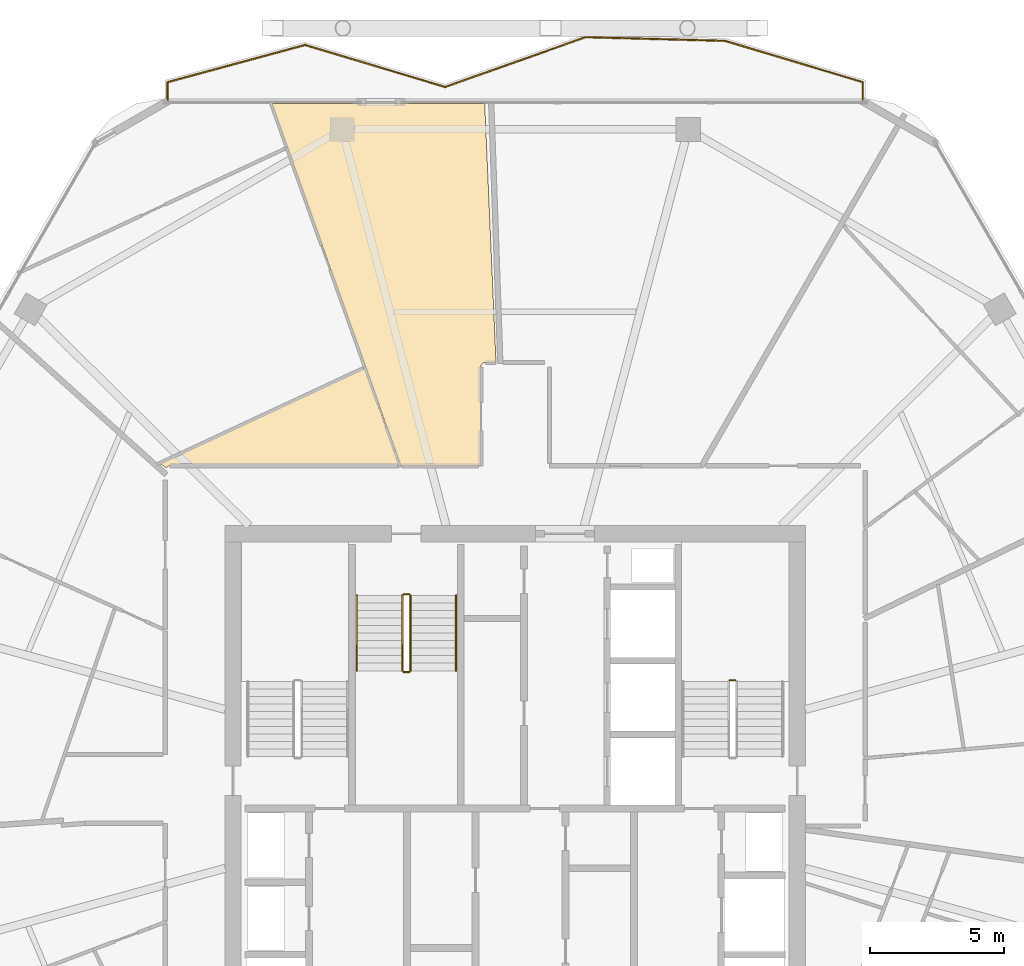
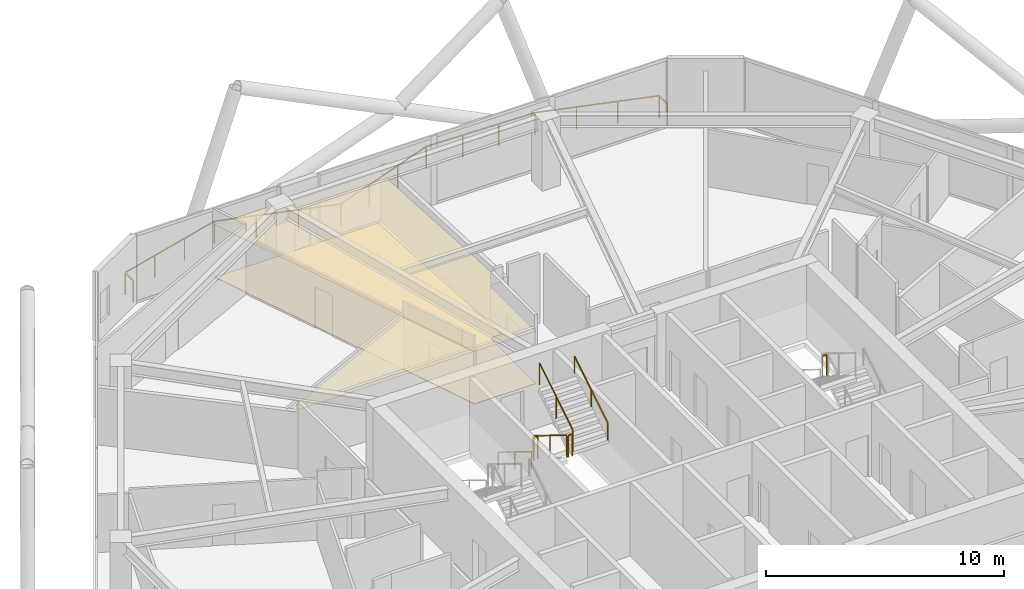
# One storey, part 26 of 26: 8 railings, 3 coverings.
"""IFC4 building model written with IfcOpenShell, lengths in metres."""

from ifc_helpers import new_model, si_unit, direction, frame, origin, origin_2d, place, context, subcontext, project, spatial, polyline, rectangle, outline, extrude, material, layer, layer_set, type_object, element, save


model = new_model("IFC4")

# Units and contexts
model_context = context("Model", 3, precision=1e-05, world=origin(), true_north=direction((0.0, 1.0)))
body_context = subcontext(model_context, "Body", "Model", "MODEL_VIEW")
ifc_project = project(units=[si_unit("LENGTHUNIT", "METRE"), si_unit("AREAUNIT", "SQUARE_METRE"), si_unit("VOLUMEUNIT", "CUBIC_METRE"), si_unit("PLANEANGLEUNIT", "RADIAN"), si_unit("MASSUNIT", "GRAM", prefix="KILO")], contexts=[model_context])

# Site, building, storey
site_placement = place(None, origin())
site = spatial("IfcSite", under=ifc_project, at=site_placement, CompositionType="ELEMENT")
building_placement = place(site_placement, origin())
building = spatial("IfcBuilding", under=site, at=building_placement, Name="Zuhravey Tower", CompositionType="ELEMENT")
storey_placement = place(building_placement, frame((0.0, 0.0, 231.199951171875)))
storey = spatial("IfcBuildingStorey", under=building, at=storey_placement, Name="L58", CompositionType="ELEMENT", Elevation=231.199951171875)

# Coverings
ifc_material_1 = material(Name="Mineral-fibre acoustic ceiling tile")
ifc_layer_1 = layer(ifc_material_1, 0.02490234375)
ifc_layer_set_1 = layer_set([ifc_layer_1], Name="Mineral-fibre acoustic ceiling tile")
covering_type_1 = type_object("IfcCoveringType", Name="Acoustic Suspended Ceiling", PredefinedType="CEILING", material=ifc_layer_set_1)
covering_1_placement = place(storey_placement, frame((0.0, 0.0, 2.68994140625)))
element("IfcCovering", 1, at=covering_1_placement, inside=storey, type_object=covering_type_1, Name="L58 Acoustic Suspended Ceiling CLG1", PredefinedType="CEILING", context=body_context, shape_type="SweptSolid", body=[
    extrude(outline(polyline([(35.28662109375, 47.8798828125), (34.89990234375, 47.8798828125), (34.8486328125, 47.87255859375), (34.80078125, 47.85009765625), (34.761474609375, 47.81494140625), (34.734130859375, 47.769775390625), (34.720947265625, 47.718505859375), (34.719970703125, 44.030029296875), (31.737548828125, 44.030029296875), (26.9326171875, 57.523681640625), (34.865478515625, 57.523681640625), (35.28662109375, 47.8798828125)])), origin(), (0.0, 0.0, 1.0), 0.025146484375),
])
ifc_material_2 = material(Name="Porcelain tile finish")
ifc_layer_2 = layer(ifc_material_2, 0.02001953125)
ifc_layer_set_2 = layer_set([ifc_layer_2], Name="Porcelain tile finish")
covering_type_2 = type_object("IfcCoveringType", Name="Apartment Ondol Porcelain Flooring", PredefinedType="FLOORING", material=ifc_layer_set_2)
covering_2_placement = place(storey_placement, origin())
element("IfcCovering", 2, at=covering_2_placement, inside=storey, type_object=covering_type_2, Name="L58 Principal Room Acoustic Flooring", PredefinedType="FLOORING", context=body_context, shape_type="SweptSolid", body=[
    extrude(outline(polyline([(35.28662109375, 47.8798828125), (34.89990234375, 47.8798828125), (34.8486328125, 47.87255859375), (34.80078125, 47.85009765625), (34.761474609375, 47.81494140625), (34.734130859375, 47.769775390625), (34.720947265625, 47.718505859375), (34.719970703125, 44.030029296875), (31.737548828125, 44.030029296875), (26.9326171875, 57.523681640625), (34.865478515625, 57.523681640625), (35.28662109375, 47.8798828125)])), origin(), (0.0, 0.0, 1.0), 0.02001953125),
])

# Railing
ifc_material_3 = material(Name="Stainless steel 316 and laminated glass", Category="steel")
railing_type_1 = type_object("IfcRailingType", Name="Balcony & Terrace Guardrail 1150", PredefinedType="BALUSTRADE", material=ifc_material_3)
railing_1_placement = place(storey_placement, frame((23.058349609375, 57.648681640625, 0.0)))
element("IfcRailing", 3, at=railing_1_placement, inside=storey, type_object=railing_type_1, Name="L58 Face 2 Wave Balcony Guardrail GR1", PredefinedType="BALUSTRADE", context=body_context, shape_type="SweptSolid", body=[
    extrude(rectangle(XDim=0.048095703125, YDim=0.048095703125, at=origin_2d()), frame((0.0, 0.001953125, 1.1259765625), z_axis=(0.0, 1.0, 0.0), x_axis=(-1.0, 0.0, 0.0)), (0.0, 0.0, 1.0), 0.659423828125),
    extrude(rectangle(XDim=0.048095703125, YDim=0.048095703125, at=origin_2d()), frame((0.001953125, 0.663818359375, 1.1259765625), z_axis=(0.965174046402, 0.261608601065, 0.0), x_axis=(-0.261608601065, 0.965174046402, 0.0)), (0.0, 0.0, 1.0), 5.2958984375),
    extrude(rectangle(XDim=0.048095703125, YDim=0.048095703125, at=origin_2d()), frame((5.1171875, 2.04931640625, 1.1259765625), z_axis=(0.957939641599, -0.286969759824, 0.0), x_axis=(0.286969759824, 0.957939641599, 0.0)), (0.0, 0.0, 1.0), 5.446044921875),
    extrude(rectangle(XDim=0.048095703125, YDim=0.048095703125, at=origin_2d()), frame((10.337890625, 0.486572265625, 1.1259765625), z_axis=(0.94248811317, 0.3342396693, 0.0), x_axis=(-0.3342396693, 0.94248811317, 0.0)), (0.0, 0.0, 1.0), 5.545166015625),
    extrude(rectangle(XDim=0.048095703125, YDim=0.048095703125, at=origin_2d()), frame((15.56787109375, 2.340576171875, 1.1259765625), z_axis=(0.999647538064, -0.026548062884, 0.0), x_axis=(0.026548062884, 0.999647538064, 0.0)), (0.0, 0.0, 1.0), 5.1826171875),
    extrude(rectangle(XDim=0.048095703125, YDim=0.048095703125, at=origin_2d()), frame((20.752685546875, 2.202392578125, 1.1259765625), z_axis=(0.957950354825, -0.286933995354, 0.0), x_axis=(0.286933995354, 0.957950354825, 0.0)), (0.0, 0.0, 1.0), 5.353759765625),
    extrude(rectangle(XDim=0.048095703125, YDim=0.048095703125, at=origin_2d()), frame((25.88330078125, 0.66357421875, 1.1259765625), z_axis=(0.0, -1.0, 0.0), x_axis=(1.0, 0.0, 0.0)), (0.0, 0.0, 1.0), 0.66162109375),
    extrude(rectangle(XDim=0.0419921875, YDim=0.0419921875, at=origin_2d()), origin(), (0.0, 0.0, 1.0), 1.099853515625),
    extrude(rectangle(XDim=0.0419921875, YDim=0.0419921875, at=origin_2d()), frame((0.0, 0.663330078125, 0.0)), (0.0, 0.0, 1.0), 1.099853515625),
    extrude(rectangle(XDim=0.0419921875, YDim=0.0419921875, at=origin_2d()), frame((1.705078125, 1.12548828125, 0.0)), (0.0, 0.0, 1.0), 1.099853515625),
    extrude(rectangle(XDim=0.0419921875, YDim=0.0419921875, at=origin_2d()), frame((3.41015625, 1.587646484375, 0.0)), (0.0, 0.0, 1.0), 1.099853515625),
    extrude(rectangle(XDim=0.0419921875, YDim=0.0419921875, at=origin_2d()), frame((5.115234375, 2.0498046875, 0.0)), (0.0, 0.0, 1.0), 1.099853515625),
    extrude(rectangle(XDim=0.0419921875, YDim=0.0419921875, at=origin_2d()), frame((6.85546875, 1.528564453125, 0.0)), (0.0, 0.0, 1.0), 1.099853515625),
    extrude(rectangle(XDim=0.0419921875, YDim=0.0419921875, at=origin_2d()), frame((8.595703125, 1.007080078125, 0.0)), (0.0, 0.0, 1.0), 1.099853515625),
    extrude(rectangle(XDim=0.0419921875, YDim=0.0419921875, at=origin_2d()), frame((10.3359375, 0.48583984375, 0.0)), (0.0, 0.0, 1.0), 1.099853515625),
    extrude(rectangle(XDim=0.0419921875, YDim=0.0419921875, at=origin_2d()), frame((12.079345703125, 1.10400390625, 0.0)), (0.0, 0.0, 1.0), 1.099853515625),
    extrude(rectangle(XDim=0.0419921875, YDim=0.0419921875, at=origin_2d()), frame((13.822509765625, 1.722412109375, 0.0)), (0.0, 0.0, 1.0), 1.099853515625),
    extrude(rectangle(XDim=0.0419921875, YDim=0.0419921875, at=origin_2d()), frame((15.56591796875, 2.340576171875, 0.0)), (0.0, 0.0, 1.0), 1.099853515625),
    extrude(rectangle(XDim=0.0419921875, YDim=0.0419921875, at=origin_2d()), frame((17.294189453125, 2.294677734375, 0.0)), (0.0, 0.0, 1.0), 1.099853515625),
    extrude(rectangle(XDim=0.0419921875, YDim=0.0419921875, at=origin_2d()), frame((19.0224609375, 2.248779296875, 0.0)), (0.0, 0.0, 1.0), 1.099853515625),
    extrude(rectangle(XDim=0.0419921875, YDim=0.0419921875, at=origin_2d()), frame((20.750732421875, 2.202880859375, 0.0)), (0.0, 0.0, 1.0), 1.099853515625),
    extrude(rectangle(XDim=0.0419921875, YDim=0.0419921875, at=origin_2d()), frame((22.461669921875, 1.6904296875, 0.0)), (0.0, 0.0, 1.0), 1.099853515625),
    extrude(rectangle(XDim=0.0419921875, YDim=0.0419921875, at=origin_2d()), frame((24.17236328125, 1.177978515625, 0.0)), (0.0, 0.0, 1.0), 1.099853515625),
    extrude(rectangle(XDim=0.0419921875, YDim=0.0419921875, at=origin_2d()), frame((25.88330078125, 0.66552734375, 0.0)), (0.0, 0.0, 1.0), 1.099853515625),
    extrude(rectangle(XDim=0.0419921875, YDim=0.0419921875, at=origin_2d()), frame((25.88330078125, 0.0, 0.0)), (0.0, 0.0, 1.0), 1.099853515625),
])

# Covering
ifc_material_4 = material(Name="Moisture-resistant gypsum ceiling board")
ifc_layer_3 = layer(ifc_material_4, 0.02001953125)
ifc_layer_set_3 = layer_set([ifc_layer_3], Name="Moisture-resistant gypsum ceiling board")
covering_type_3 = type_object("IfcCoveringType", Name="Moisture-Resistant Ceiling", PredefinedType="CEILING", material=ifc_layer_set_3)
covering_3_placement = place(storey_placement, frame((0.0, 0.0, 2.68994140625)))
element("IfcCovering", 4, at=covering_3_placement, inside=storey, type_object=covering_type_3, Name="L58 Wet-Room Ceiling CLG2", PredefinedType="CEILING", context=body_context, shape_type="SweptSolid", body=[
    extrude(outline(polyline([(22.99609375, 43.943115234375), (22.797607421875, 44.125), (30.399169921875, 47.669677734375), (31.695068359375, 44.030029296875), (23.14990234375, 44.030029296875), (23.0986328125, 44.0224609375), (23.064208984375, 44.00830078125), (23.0234375, 43.97802734375), (22.99609375, 43.943115234375)])), origin(), (0.0, 0.0, 1.0), 0.02001953125),
])

# Railings
ifc_material_5 = material(Name="Brushed stainless steel", Category="steel")
railing_type_2 = type_object("IfcRailingType", Name="Stair Wall Handrail 900", PredefinedType="HANDRAIL", material=ifc_material_5)
railing_2_placement = place(storey_placement, frame((30.10009765625, 39.199951171875, 0.1728515625)))
element("IfcRailing", 5, at=railing_2_placement, inside=storey, type_object=railing_type_2, Name="L58 ST3 stair handrail 1", PredefinedType="HANDRAIL", context=body_context, shape_type="SweptSolid", body=[
    extrude(rectangle(XDim=0.048095703125, YDim=0.048095703125, at=origin_2d()), frame((0.0, -0.001708984375, 0.876953125), z_axis=(0.0, -0.851089632645, 0.525020415988), x_axis=(1.0, 0.0, 0.0)), (0.0, 0.0, 1.0), 3.285888671875),
    extrude(rectangle(XDim=0.0419921875, YDim=0.0419921875, at=origin_2d()), origin(), (0.0, 0.0, 1.0), 0.849853515625),
    extrude(rectangle(XDim=0.0419921875, YDim=0.0419921875, at=origin_2d()), frame((0.0, -1.39990234375, 0.86376953125)), (0.0, 0.0, 1.0), 0.849853515625),
    extrude(rectangle(XDim=0.0419921875, YDim=0.0419921875, at=origin_2d()), frame((0.0, -2.800048828125, 1.727294921875)), (0.0, 0.0, 1.0), 0.849853515625),
])
railing_3_placement = place(storey_placement, frame((33.800048828125, 36.39990234375, 2.07275390625)))
element("IfcRailing", 6, at=railing_3_placement, inside=storey, type_object=railing_type_2, Name="L58 ST3 stair handrail 2", PredefinedType="HANDRAIL", context=body_context, shape_type="SweptSolid", body=[
    extrude(rectangle(XDim=0.048095703125, YDim=0.048095703125, at=origin_2d()), frame((0.0, 0.001708984375, 0.876953125), z_axis=(0.0, 0.851089632645, 0.525020415988), x_axis=(-1.0, 0.0, 0.0)), (0.0, 0.0, 1.0), 3.285888671875),
    extrude(rectangle(XDim=0.0419921875, YDim=0.0419921875, at=origin_2d()), origin(), (0.0, 0.0, 1.0), 0.849853515625),
    extrude(rectangle(XDim=0.0419921875, YDim=0.0419921875, at=origin_2d()), frame((0.0, 1.39990234375, 0.86376953125)), (0.0, 0.0, 1.0), 0.849853515625),
    extrude(rectangle(XDim=0.0419921875, YDim=0.0419921875, at=origin_2d()), frame((0.0, 2.800048828125, 1.727294921875)), (0.0, 0.0, 1.0), 0.849853515625),
])
ifc_material_6 = material(Name="Painted tubular steel", Category="steel")
railing_type_3 = type_object("IfcRailingType", Name="Stair Well Guardrail 1150", PredefinedType="GUARDRAIL", material=ifc_material_6)
railing_4_placement = place(storey_placement, frame((44.199951171875, 36.050048828125, 1.900146484375)))
element("IfcRailing", 7, at=railing_4_placement, inside=storey, type_object=railing_type_3, Name="L58 ST2 stair guard 2", PredefinedType="GUARDRAIL", context=body_context, shape_type="SweptSolid", body=[
    extrude(rectangle(XDim=0.048095703125, YDim=0.048095703125, at=origin_2d()), frame((-0.001953125, 0.0, 1.1259765625), z_axis=(-1.0, 0.0, 0.0), x_axis=(0.0, -1.0, 0.0)), (0.0, 0.0, 1.0), 0.196044921875),
    extrude(rectangle(XDim=0.0419921875, YDim=0.0419921875, at=origin_2d()), origin(), (0.0, 0.0, 1.0), 1.099853515625),
    extrude(rectangle(XDim=0.0419921875, YDim=0.0419921875, at=origin_2d()), frame((-0.199951171875, 0.0, 0.0)), (0.0, 0.0, 1.0), 1.099853515625),
])
railing_5_placement = place(storey_placement, frame((31.800048828125, 39.199951171875, 0.1728515625)))
element("IfcRailing", 8, at=railing_5_placement, inside=storey, type_object=railing_type_3, Name="L58 ST3 stair guard 1", PredefinedType="GUARDRAIL", context=body_context, shape_type="SweptSolid", body=[
    extrude(rectangle(XDim=0.048095703125, YDim=0.048095703125, at=origin_2d()), frame((0.0, -0.001708984375, 1.126953125), z_axis=(0.0, -0.851089632645, 0.525020415988), x_axis=(1.0, 0.0, 0.0)), (0.0, 0.0, 1.0), 3.285888671875),
    extrude(rectangle(XDim=0.0419921875, YDim=0.0419921875, at=origin_2d()), origin(), (0.0, 0.0, 1.0), 1.099853515625),
    extrude(rectangle(XDim=0.0419921875, YDim=0.0419921875, at=origin_2d()), frame((0.0, -1.39990234375, 0.86376953125)), (0.0, 0.0, 1.0), 1.099853515625),
    extrude(rectangle(XDim=0.0419921875, YDim=0.0419921875, at=origin_2d()), frame((0.0, -2.800048828125, 1.727294921875)), (0.0, 0.0, 1.0), 1.099853515625),
])
railing_6_placement = place(storey_placement, frame((31.85009765625, 36.35009765625, 1.900146484375)))
element("IfcRailing", 9, at=railing_6_placement, inside=storey, type_object=railing_type_3, Name="L58 ST3 stair guard 2", PredefinedType="GUARDRAIL", context=body_context, shape_type="SweptSolid", body=[
    extrude(rectangle(XDim=0.048095703125, YDim=0.048095703125, at=origin_2d()), frame((0.001953125, 0.0, 1.1259765625), z_axis=(1.0, 0.0, 0.0), x_axis=(0.0, 1.0, 0.0)), (0.0, 0.0, 1.0), 0.196044921875),
    extrude(rectangle(XDim=0.0419921875, YDim=0.0419921875, at=origin_2d()), origin(), (0.0, 0.0, 1.0), 1.099853515625),
    extrude(rectangle(XDim=0.0419921875, YDim=0.0419921875, at=origin_2d()), frame((0.199951171875, 0.0, 0.0)), (0.0, 0.0, 1.0), 1.099853515625),
])
railing_7_placement = place(storey_placement, frame((32.10009765625, 36.39990234375, 2.07275390625)))
element("IfcRailing", 10, at=railing_7_placement, inside=storey, type_object=railing_type_3, Name="L58 ST3 stair guard 3", PredefinedType="GUARDRAIL", context=body_context, shape_type="SweptSolid", body=[
    extrude(rectangle(XDim=0.048095703125, YDim=0.048095703125, at=origin_2d()), frame((0.0, 0.001708984375, 1.126953125), z_axis=(0.0, 0.851089632645, 0.525020415988), x_axis=(-1.0, 0.0, 0.0)), (0.0, 0.0, 1.0), 3.285888671875),
    extrude(rectangle(XDim=0.0419921875, YDim=0.0419921875, at=origin_2d()), origin(), (0.0, 0.0, 1.0), 1.099853515625),
    extrude(rectangle(XDim=0.0419921875, YDim=0.0419921875, at=origin_2d()), frame((0.0, 1.39990234375, 0.86376953125)), (0.0, 0.0, 1.0), 1.099853515625),
    extrude(rectangle(XDim=0.0419921875, YDim=0.0419921875, at=origin_2d()), frame((0.0, 2.800048828125, 1.727294921875)), (0.0, 0.0, 1.0), 1.099853515625),
])
railing_8_placement = place(storey_placement, frame((31.85009765625, 39.25, 0.0)))
element("IfcRailing", 11, at=railing_8_placement, inside=storey, type_object=railing_type_3, Name="L58 ST3 stair guard 4", PredefinedType="GUARDRAIL", context=body_context, shape_type="SweptSolid", body=[
    extrude(rectangle(XDim=0.048095703125, YDim=0.048095703125, at=origin_2d()), frame((0.001953125, 0.0, 1.1259765625), z_axis=(1.0, 0.0, 0.0), x_axis=(0.0, 1.0, 0.0)), (0.0, 0.0, 1.0), 0.196044921875),
    extrude(rectangle(XDim=0.0419921875, YDim=0.0419921875, at=origin_2d()), origin(), (0.0, 0.0, 1.0), 1.099853515625),
    extrude(rectangle(XDim=0.0419921875, YDim=0.0419921875, at=origin_2d()), frame((0.199951171875, 0.0, 0.0)), (0.0, 0.0, 1.0), 1.099853515625),
])

save(model, "model.ifc")
